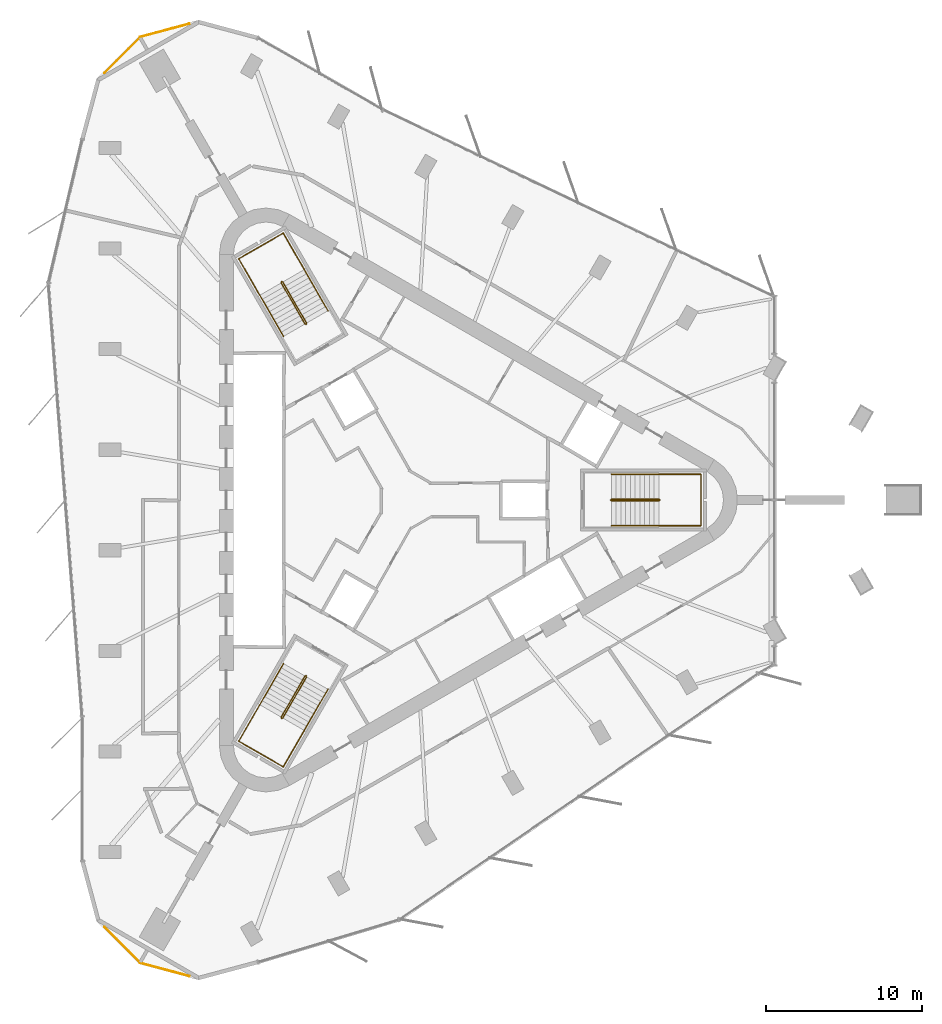
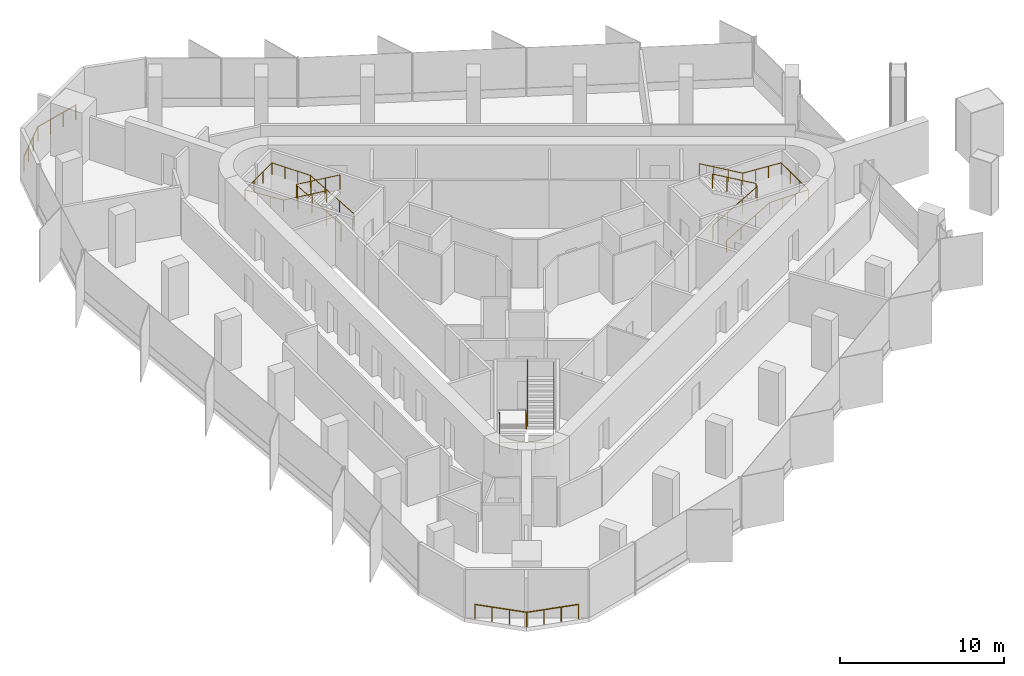
# One storey, part 12 of 12: 8 railings.
"""IFC4 building model written with IfcOpenShell, lengths in metres."""

from ifc_helpers import new_model, si_unit, direction, frame, origin, origin_2d, place, context, subcontext, project, spatial, circle, extrude, material, type_object, element, save


model = new_model("IFC4")

# Units and contexts
model_context = context("Model", 3, precision=1e-05, world=origin(), true_north=direction((0.0, 1.0)))
body_context = subcontext(model_context, "Body", "Model", "MODEL_VIEW")
ifc_project = project(units=[si_unit("LENGTHUNIT", "METRE"), si_unit("AREAUNIT", "SQUARE_METRE"), si_unit("VOLUMEUNIT", "CUBIC_METRE"), si_unit("PLANEANGLEUNIT", "RADIAN"), si_unit("MASSUNIT", "GRAM", prefix="KILO")], contexts=[model_context])

# Site, building, storey
site_placement = place(None, origin())
site = spatial("IfcSite", under=ifc_project, at=site_placement, CompositionType="ELEMENT")
building_placement = place(site_placement, origin())
building = spatial("IfcBuilding", under=site, at=building_placement, Name="Tanit Gate Tower", CompositionType="ELEMENT")
storey_placement = place(building_placement, frame((0.0, 0.0, 368.89990234375)))
storey = spatial("IfcBuildingStorey", under=building, at=storey_placement, Name="L84", CompositionType="ELEMENT", Elevation=368.89990234375)

# Railings
ifc_material_1 = material(Name="Stainless steel", Category="steel")
railing_type_1 = type_object("IfcRailingType", Name="Guard 1100 stainless steel balustrade", PredefinedType="GUARDRAIL", material=ifc_material_1)
railing_1_placement = place(storey_placement, frame((-14.027587890625, -30.60205078125, 0.0)))
element("IfcRailing", 1, at=railing_1_placement, inside=storey, type_object=railing_type_1, Name="Corner ledge guard L84 1", PredefinedType="GUARDRAIL", context=body_context, shape_type="SweptSolid", body=[
    extrude(circle(Radius=0.02392578125, at=origin_2d()), frame((0.0, 0.0, 1.076171875), z_axis=(-0.965931358652, 0.258798397161, 0.0), x_axis=(-0.258798397161, -0.965931358652, 0.0)), (0.0, 0.0, 1.0), 3.263916015625),
    extrude(circle(Radius=0.02392578125, at=origin_2d()), frame((-3.15283203125, 0.8447265625, 1.076171875), z_axis=(-0.707069380992, 0.707144179403, 0.0), x_axis=(-0.707144179403, -0.707069380992, 0.0)), (0.0, 0.0, 1.0), 3.263916015625),
    extrude(circle(Radius=0.02099609375, at=origin_2d()), origin(), (0.0, 0.0, 1.0), 1.052001953125),
    extrude(circle(Radius=0.02099609375, at=origin_2d()), frame((-1.051025390625, 0.281494140625, 0.0)), (0.0, 0.0, 1.0), 1.052001953125),
    extrude(circle(Radius=0.02099609375, at=origin_2d()), frame((-2.101806640625, 0.563232421875, 0.0)), (0.0, 0.0, 1.0), 1.052001953125),
    extrude(circle(Radius=0.02099609375, at=origin_2d()), frame((-3.15283203125, 0.8447265625, 0.0)), (0.0, 0.0, 1.0), 1.052001953125),
    extrude(circle(Radius=0.02099609375, at=origin_2d()), frame((-3.922119140625, 1.614013671875, 0.0)), (0.0, 0.0, 1.0), 1.052001953125),
    extrude(circle(Radius=0.02099609375, at=origin_2d()), frame((-4.69140625, 2.383544921875, 0.0)), (0.0, 0.0, 1.0), 1.052001953125),
    extrude(circle(Radius=0.02099609375, at=origin_2d()), frame((-5.460693359375, 3.15283203125, 0.0)), (0.0, 0.0, 1.0), 1.052001953125),
])
railing_2_placement = place(storey_placement, frame((-19.48828125, 27.44921875, 0.0)))
element("IfcRailing", 2, at=railing_2_placement, inside=storey, type_object=railing_type_1, Name="Corner ledge guard L84 2", PredefinedType="GUARDRAIL", context=body_context, shape_type="SweptSolid", body=[
    extrude(circle(Radius=0.02392578125, at=origin_2d()), frame((0.0, 0.0, 1.076171875), z_axis=(0.707069380992, 0.707144179403, 0.0), x_axis=(-0.707144179403, 0.707069380992, 0.0)), (0.0, 0.0, 1.0), 3.263916015625),
    extrude(circle(Radius=0.02392578125, at=origin_2d()), frame((2.307861328125, 2.30810546875, 1.076171875), z_axis=(0.965931358652, 0.258798397161, 0.0), x_axis=(-0.258798397161, 0.965931358652, 0.0)), (0.0, 0.0, 1.0), 3.263916015625),
    extrude(circle(Radius=0.02099609375, at=origin_2d()), origin(), (0.0, 0.0, 1.0), 1.052001953125),
    extrude(circle(Radius=0.02099609375, at=origin_2d()), frame((0.769287109375, 0.769287109375, 0.0)), (0.0, 0.0, 1.0), 1.052001953125),
    extrude(circle(Radius=0.02099609375, at=origin_2d()), frame((1.53857421875, 1.538818359375, 0.0)), (0.0, 0.0, 1.0), 1.052001953125),
    extrude(circle(Radius=0.02099609375, at=origin_2d()), frame((2.307861328125, 2.30810546875, 0.0)), (0.0, 0.0, 1.0), 1.052001953125),
    extrude(circle(Radius=0.02099609375, at=origin_2d()), frame((3.35888671875, 2.589599609375, 0.0)), (0.0, 0.0, 1.0), 1.052001953125),
    extrude(circle(Radius=0.02099609375, at=origin_2d()), frame((4.40966796875, 2.871337890625, 0.0)), (0.0, 0.0, 1.0), 1.052001953125),
    extrude(circle(Radius=0.02099609375, at=origin_2d()), frame((5.460693359375, 3.15283203125, 0.0)), (0.0, 0.0, 1.0), 1.052001953125),
])
ifc_material_2 = material(Name="Stainless steel balustrade", Category="steel")
railing_type_2 = type_object("IfcRailingType", Name="INT-STAIR-GUARD", PredefinedType="GUARDRAIL", material=ifc_material_2)
railing_3_placement = place(storey_placement, frame((13.044921875, 0.0048828125, 0.0)))
element("IfcRailing", 3, at=railing_3_placement, inside=storey, type_object=railing_type_2, Name="L84 S1 stair guard 1", PredefinedType="GUARDRAIL", context=body_context, shape_type="SweptSolid", body=[
    extrude(circle(Radius=0.02392578125, at=origin_2d()), frame((0.0, 0.0, 1.076171875), z_axis=(0.0, -1.0, 0.0), x_axis=(1.0, 0.0, 0.0)), (0.0, 0.0, 1.0), 0.009765625),
    extrude(circle(Radius=0.02392578125, at=origin_2d()), frame((0.0, -0.009765625, 1.076171875), z_axis=(0.261922500866, -0.261922500866, 0.928866625022), x_axis=(0.707106781187, 0.707106781187, 0.0)), (0.0, 0.0, 1.0), 0.191162109375),
    extrude(circle(Radius=0.02392578125, at=origin_2d()), frame((0.050048828125, -0.059814453125, 1.25341796875), z_axis=(0.864648382064, 0.0, 0.502377522779), x_axis=(0.0, 1.0, 0.0)), (0.0, 0.0, 1.0), 3.528564453125),
    extrude(circle(Radius=0.02392578125, at=origin_2d()), frame((3.10107421875, -0.059814453125, 3.0263671875), z_axis=(0.707106781187, 0.707106781187, 0.0), x_axis=(-0.707106781187, 0.707106781187, 0.0)), (0.0, 0.0, 1.0), 0.07080078125),
    extrude(circle(Radius=0.02392578125, at=origin_2d()), frame((3.151123046875, -0.009765625, 3.0263671875), z_axis=(0.0, 1.0, 0.0), x_axis=(-1.0, 0.0, 0.0)), (0.0, 0.0, 1.0), 0.009765625),
    extrude(circle(Radius=0.02392578125, at=origin_2d()), frame((3.151123046875, 0.0, 3.0263671875), z_axis=(-0.262233686654, 0.262233686654, 0.928691007369), x_axis=(-0.707106781187, -0.707106781187, 0.0)), (0.0, 0.0, 1.0), 0.19091796875),
    extrude(circle(Radius=0.02392578125, at=origin_2d()), frame((3.10107421875, 0.050048828125, 3.20361328125), z_axis=(-0.864648382064, 0.0, 0.502377522779), x_axis=(0.0, -1.0, 0.0)), (0.0, 0.0, 1.0), 3.528564453125),
    extrude(circle(Radius=0.02099609375, at=origin_2d()), origin(), (0.0, 0.0, 1.0), 1.052001953125),
    extrude(circle(Radius=0.02099609375, at=origin_2d()), frame((0.0, -0.009765625, 0.0)), (0.0, 0.0, 1.0), 1.052001953125),
    extrude(circle(Radius=0.02099609375, at=origin_2d()), frame((0.050048828125, -0.059814453125, 0.177490234375)), (0.0, 0.0, 1.0), 1.052001953125),
    extrude(circle(Radius=0.02099609375, at=origin_2d()), frame((1.067138671875, -0.059814453125, 0.768310546875)), (0.0, 0.0, 1.0), 1.052001953125),
    extrude(circle(Radius=0.02099609375, at=origin_2d()), frame((2.083984375, -0.059814453125, 1.359375)), (0.0, 0.0, 1.0), 1.052001953125),
    extrude(circle(Radius=0.02099609375, at=origin_2d()), frame((3.10107421875, -0.059814453125, 1.9501953125)), (0.0, 0.0, 1.0), 1.052001953125),
    extrude(circle(Radius=0.02099609375, at=origin_2d()), frame((3.151123046875, -0.009765625, 1.9501953125)), (0.0, 0.0, 1.0), 1.052001953125),
    extrude(circle(Radius=0.02099609375, at=origin_2d()), frame((3.151123046875, 0.0, 1.9501953125)), (0.0, 0.0, 1.0), 1.052001953125),
    extrude(circle(Radius=0.02099609375, at=origin_2d()), frame((3.10107421875, 0.050048828125, 2.12744140625)), (0.0, 0.0, 1.0), 1.052001953125),
    extrude(circle(Radius=0.02099609375, at=origin_2d()), frame((2.083984375, 0.050048828125, 2.71826171875)), (0.0, 0.0, 1.0), 1.052001953125),
    extrude(circle(Radius=0.02099609375, at=origin_2d()), frame((1.067138671875, 0.050048828125, 3.309326171875)), (0.0, 0.0, 1.0), 1.052001953125),
    extrude(circle(Radius=0.02099609375, at=origin_2d()), frame((0.050048828125, 0.050048828125, 3.900146484375)), (0.0, 0.0, 1.0), 1.052001953125),
])
railing_4_placement = place(storey_placement, frame((-6.527099609375, 11.29345703125, 0.0)))
element("IfcRailing", 4, at=railing_4_placement, inside=storey, type_object=railing_type_2, Name="L84 S2 stair guard 1", PredefinedType="GUARDRAIL", context=body_context, shape_type="SweptSolid", body=[
    extrude(circle(Radius=0.02392578125, at=origin_2d()), frame((0.0, 0.0, 1.076171875), z_axis=(0.868243142124, 0.496138938357, 0.0), x_axis=(-0.496138938357, 0.868243142124, 0.0)), (0.0, 0.0, 1.0), 0.01171875),
    extrude(circle(Radius=0.02392578125, at=origin_2d()), frame((0.01025390625, 0.005859375, 1.076171875), z_axis=(0.095827260621, 0.357755106318, 0.928885579619), x_axis=(-0.965948051503, 0.258736085224, 0.0)), (0.0, 0.0, 1.0), 0.191162109375),
    extrude(circle(Radius=0.02392578125, at=origin_2d()), frame((0.028564453125, 0.07421875, 1.25341796875), z_axis=(-0.4322777601, 0.748681545756, 0.50260509465), x_axis=(-0.866012246495, -0.500022788402, 0.0)), (0.0, 0.0, 1.0), 3.527099609375),
    extrude(circle(Radius=0.02392578125, at=origin_2d()), frame((-1.49609375, 2.71484375, 3.0263671875), z_axis=(-0.965715946433, 0.259601060869, 0.0), x_axis=(-0.259601060869, -0.965715946433, 0.0)), (0.0, 0.0, 1.0), 0.070556640625),
    extrude(circle(Radius=0.02392578125, at=origin_2d()), frame((-1.564208984375, 2.733154296875, 3.0263671875), z_axis=(-0.873197702015, -0.487366159264, 0.0), x_axis=(0.487366159264, -0.873197702015, 0.0)), (0.0, 0.0, 1.0), 0.011962890625),
    extrude(circle(Radius=0.02392578125, at=origin_2d()), frame((-1.57470703125, 2.727294921875, 3.0263671875), z_axis=(-0.095941116058, -0.358180166617, 0.928710003441), x_axis=(0.965948051503, -0.258736085224, 0.0)), (0.0, 0.0, 1.0), 0.19091796875),
    extrude(circle(Radius=0.02392578125, at=origin_2d()), frame((-1.593017578125, 2.658935546875, 3.20361328125), z_axis=(0.4322777601, -0.748681545756, 0.50260509465), x_axis=(0.866012246495, 0.500022788402, 0.0)), (0.0, 0.0, 1.0), 3.527099609375),
    extrude(circle(Radius=0.02099609375, at=origin_2d()), origin(), (0.0, 0.0, 1.0), 1.052001953125),
    extrude(circle(Radius=0.02099609375, at=origin_2d()), frame((0.01025390625, 0.005859375, 0.0)), (0.0, 0.0, 1.0), 1.052001953125),
    extrude(circle(Radius=0.02099609375, at=origin_2d()), frame((0.028564453125, 0.07421875, 0.177490234375)), (0.0, 0.0, 1.0), 1.052001953125),
    extrude(circle(Radius=0.02099609375, at=origin_2d()), frame((-0.479736328125, 0.954345703125, 0.768310546875)), (0.0, 0.0, 1.0), 1.052001953125),
    extrude(circle(Radius=0.02099609375, at=origin_2d()), frame((-0.98779296875, 1.834716796875, 1.359375)), (0.0, 0.0, 1.0), 1.052001953125),
    extrude(circle(Radius=0.02099609375, at=origin_2d()), frame((-1.49609375, 2.71484375, 1.9501953125)), (0.0, 0.0, 1.0), 1.052001953125),
    extrude(circle(Radius=0.02099609375, at=origin_2d()), frame((-1.564208984375, 2.733154296875, 1.9501953125)), (0.0, 0.0, 1.0), 1.052001953125),
    extrude(circle(Radius=0.02099609375, at=origin_2d()), frame((-1.57470703125, 2.727294921875, 1.9501953125)), (0.0, 0.0, 1.0), 1.052001953125),
    extrude(circle(Radius=0.02099609375, at=origin_2d()), frame((-1.593017578125, 2.658935546875, 2.12744140625)), (0.0, 0.0, 1.0), 1.052001953125),
    extrude(circle(Radius=0.02099609375, at=origin_2d()), frame((-1.084716796875, 1.77880859375, 2.71826171875)), (0.0, 0.0, 1.0), 1.052001953125),
    extrude(circle(Radius=0.02099609375, at=origin_2d()), frame((-0.57666015625, 0.8984375, 3.309326171875)), (0.0, 0.0, 1.0), 1.052001953125),
    extrude(circle(Radius=0.02099609375, at=origin_2d()), frame((-0.068359375, 0.018310546875, 3.900146484375)), (0.0, 0.0, 1.0), 1.052001953125),
])
railing_5_placement = place(storey_placement, frame((-6.51806640625, -11.2998046875, 0.0)))
element("IfcRailing", 5, at=railing_5_placement, inside=storey, type_object=railing_type_2, Name="L84 S3 stair guard 1", PredefinedType="GUARDRAIL", context=body_context, shape_type="SweptSolid", body=[
    extrude(circle(Radius=0.02392578125, at=origin_2d()), frame((0.0, 0.0, 1.076171875), z_axis=(-0.874157276122, 0.485642931179, 0.0), x_axis=(-0.485642931179, -0.874157276122, 0.0)), (0.0, 0.0, 1.0), 0.010009765625),
    extrude(circle(Radius=0.02392578125, at=origin_2d()), frame((-0.0087890625, 0.0048828125, 1.076171875), z_axis=(-0.357798625124, -0.094561065211, 0.928998573091), x_axis=(0.255512919477, -0.966805641264, 0.0)), (0.0, 0.0, 1.0), 0.191162109375),
    extrude(circle(Radius=0.02392578125, at=origin_2d()), frame((-0.0771484375, -0.01318359375, 1.25341796875), z_axis=(-0.432289778901, -0.748827189027, 0.502377734411), x_axis=(0.866048339477, -0.499960272111, 0.0)), (0.0, 0.0, 1.0), 3.528564453125),
    extrude(circle(Radius=0.02392578125, at=origin_2d()), frame((-1.6025390625, -2.655517578125, 3.0263671875), z_axis=(0.258736085224, -0.965948051503, 0.0), x_axis=(0.965948051503, 0.258736085224, 0.0)), (0.0, 0.0, 1.0), 0.07080078125),
    extrude(circle(Radius=0.02392578125, at=origin_2d()), frame((-1.584228515625, -2.723876953125, 3.0263671875), z_axis=(0.868243142124, -0.496138938357, 0.0), x_axis=(0.496138938357, 0.868243142124, 0.0)), (0.0, 0.0, 1.0), 0.009765625),
    extrude(circle(Radius=0.02392578125, at=origin_2d()), frame((-1.57568359375, -2.728759765625, 3.0263671875), z_axis=(0.358180166617, 0.095941116058, 0.928710003441), x_axis=(-0.258736085224, 0.965948051503, 0.0)), (0.0, 0.0, 1.0), 0.19091796875),
    extrude(circle(Radius=0.02392578125, at=origin_2d()), frame((-1.50732421875, -2.71044921875, 3.20361328125), z_axis=(0.432368434633, 0.748774395838, 0.502388734816), x_axis=(-0.865993683553, 0.500054937028, 0.0)), (0.0, 0.0, 1.0), 3.528564453125),
    extrude(circle(Radius=0.02099609375, at=origin_2d()), origin(), (0.0, 0.0, 1.0), 1.052001953125),
    extrude(circle(Radius=0.02099609375, at=origin_2d()), frame((-0.0087890625, 0.0048828125, 0.0)), (0.0, 0.0, 1.0), 1.052001953125),
    extrude(circle(Radius=0.02099609375, at=origin_2d()), frame((-0.0771484375, -0.01318359375, 0.177490234375)), (0.0, 0.0, 1.0), 1.052001953125),
    extrude(circle(Radius=0.02099609375, at=origin_2d()), frame((-0.585693359375, -0.89404296875, 0.768310546875)), (0.0, 0.0, 1.0), 1.052001953125),
    extrude(circle(Radius=0.02099609375, at=origin_2d()), frame((-1.093994140625, -1.774658203125, 1.359375)), (0.0, 0.0, 1.0), 1.052001953125),
    extrude(circle(Radius=0.02099609375, at=origin_2d()), frame((-1.6025390625, -2.655517578125, 1.9501953125)), (0.0, 0.0, 1.0), 1.052001953125),
    extrude(circle(Radius=0.02099609375, at=origin_2d()), frame((-1.584228515625, -2.723876953125, 1.9501953125)), (0.0, 0.0, 1.0), 1.052001953125),
    extrude(circle(Radius=0.02099609375, at=origin_2d()), frame((-1.57568359375, -2.728759765625, 1.9501953125)), (0.0, 0.0, 1.0), 1.052001953125),
    extrude(circle(Radius=0.02099609375, at=origin_2d()), frame((-1.50732421875, -2.71044921875, 2.12744140625)), (0.0, 0.0, 1.0), 1.052001953125),
    extrude(circle(Radius=0.02099609375, at=origin_2d()), frame((-0.998779296875, -1.829833984375, 2.71826171875)), (0.0, 0.0, 1.0), 1.052001953125),
    extrude(circle(Radius=0.02099609375, at=origin_2d()), frame((-0.490234375, -0.948974609375, 3.309326171875)), (0.0, 0.0, 1.0), 1.052001953125),
    extrude(circle(Radius=0.02099609375, at=origin_2d()), frame((0.018310546875, -0.068359375, 3.900146484375)), (0.0, 0.0, 1.0), 1.052001953125),
])
ifc_material_3 = material(Name="Stainless steel handrail", Category="steel")
railing_type_3 = type_object("IfcRailingType", Name="INT-STAIR-HANDRAIL", PredefinedType="HANDRAIL", material=ifc_material_3)
railing_6_placement = place(storey_placement, frame((13.094970703125, -1.64990234375, 0.177490234375)))
element("IfcRailing", 6, at=railing_6_placement, inside=storey, type_object=railing_type_3, Name="L84 S1 stair handrail 1", PredefinedType="HANDRAIL", context=body_context, shape_type="SweptSolid", body=[
    extrude(circle(Radius=0.02392578125, at=origin_2d()), frame((0.0, 0.0, 0.8759765625), z_axis=(0.864648382064, 0.0, 0.502377522779), x_axis=(0.0, 1.0, 0.0)), (0.0, 0.0, 1.0), 3.528564453125),
    extrude(circle(Radius=0.02392578125, at=origin_2d()), frame((3.051025390625, 0.0, 2.6484375), z_axis=(1.0, 0.0, 0.0), x_axis=(0.0, 1.0, 0.0)), (0.0, 0.0, 1.0), 2.7041015625),
    extrude(circle(Radius=0.02392578125, at=origin_2d()), frame((5.755126953125, 0.0, 2.6484375), z_axis=(0.0, 1.0, 0.0), x_axis=(-1.0, 0.0, 0.0)), (0.0, 0.0, 1.0), 3.2998046875),
    extrude(circle(Radius=0.02392578125, at=origin_2d()), frame((5.755126953125, 3.2998046875, 2.6484375), z_axis=(-0.997858684482, 0.0, 0.065406771843), x_axis=(0.0, -1.0, 0.0)), (0.0, 0.0, 1.0), 2.7099609375),
    extrude(circle(Radius=0.02392578125, at=origin_2d()), frame((3.051025390625, 3.2998046875, 2.82568359375), z_axis=(-0.864648382064, 0.0, 0.502377522779), x_axis=(0.0, -1.0, 0.0)), (0.0, 0.0, 1.0), 3.528564453125),
    extrude(circle(Radius=0.02099609375, at=origin_2d()), origin(), (0.0, 0.0, 1.0), 0.851806640625),
    extrude(circle(Radius=0.02099609375, at=origin_2d()), frame((1.01708984375, 0.0, 0.5908203125)), (0.0, 0.0, 1.0), 0.851806640625),
    extrude(circle(Radius=0.02099609375, at=origin_2d()), frame((2.033935546875, 0.0, 1.181884765625)), (0.0, 0.0, 1.0), 0.851806640625),
    extrude(circle(Radius=0.02099609375, at=origin_2d()), frame((3.051025390625, 0.0, 1.772705078125)), (0.0, 0.0, 1.0), 0.851806640625),
    extrude(circle(Radius=0.02099609375, at=origin_2d()), frame((3.952392578125, 0.0, 1.772705078125)), (0.0, 0.0, 1.0), 0.851806640625),
    extrude(circle(Radius=0.02099609375, at=origin_2d()), frame((4.853759765625, 0.0, 1.772705078125)), (0.0, 0.0, 1.0), 0.851806640625),
    extrude(circle(Radius=0.02099609375, at=origin_2d()), frame((5.755126953125, 0.0, 1.772705078125)), (0.0, 0.0, 1.0), 0.851806640625),
    extrude(circle(Radius=0.02099609375, at=origin_2d()), frame((5.755126953125, 1.099853515625, 1.772705078125)), (0.0, 0.0, 1.0), 0.851806640625),
    extrude(circle(Radius=0.02099609375, at=origin_2d()), frame((5.755126953125, 2.199951171875, 1.772705078125)), (0.0, 0.0, 1.0), 0.851806640625),
    extrude(circle(Radius=0.02099609375, at=origin_2d()), frame((5.755126953125, 3.2998046875, 1.772705078125)), (0.0, 0.0, 1.0), 0.851806640625),
    extrude(circle(Radius=0.02099609375, at=origin_2d()), frame((4.853759765625, 3.2998046875, 1.831787109375)), (0.0, 0.0, 1.0), 0.851806640625),
    extrude(circle(Radius=0.02099609375, at=origin_2d()), frame((3.952392578125, 3.2998046875, 1.890869140625)), (0.0, 0.0, 1.0), 0.851806640625),
    extrude(circle(Radius=0.02099609375, at=origin_2d()), frame((3.051025390625, 3.2998046875, 1.949951171875)), (0.0, 0.0, 1.0), 0.851806640625),
    extrude(circle(Radius=0.02099609375, at=origin_2d()), frame((2.033935546875, 3.2998046875, 2.540771484375)), (0.0, 0.0, 1.0), 0.851806640625),
    extrude(circle(Radius=0.02099609375, at=origin_2d()), frame((1.01708984375, 3.2998046875, 3.1318359375)), (0.0, 0.0, 1.0), 0.851806640625),
    extrude(circle(Radius=0.02099609375, at=origin_2d()), frame((0.0, 3.2998046875, 3.72265625)), (0.0, 0.0, 1.0), 0.851806640625),
])
railing_7_placement = place(storey_placement, frame((-5.1181640625, 12.164794921875, 0.177490234375)))
element("IfcRailing", 7, at=railing_7_placement, inside=storey, type_object=railing_type_3, Name="L84 S2 stair handrail 1", PredefinedType="HANDRAIL", context=body_context, shape_type="SweptSolid", body=[
    extrude(circle(Radius=0.02392578125, at=origin_2d()), frame((0.0, 0.0, 0.8759765625), z_axis=(-0.432221472453, 0.748703947157, 0.502620133164), x_axis=(-0.866046917185, -0.499962735845, 0.0)), (0.0, 0.0, 1.0), 3.52685546875),
    extrude(circle(Radius=0.02392578125, at=origin_2d()), frame((-1.5244140625, 2.640625, 2.6484375), z_axis=(-0.500019123664, 0.86601436245, 0.0), x_axis=(-0.86601436245, -0.500019123664, 0.0)), (0.0, 0.0, 1.0), 2.70703125),
    extrude(circle(Radius=0.02392578125, at=origin_2d()), frame((-2.8779296875, 4.98486328125, 2.6484375), z_axis=(-0.866008176907, -0.50002983664, 0.0), x_axis=(0.50002983664, -0.866008176907, 0.0)), (0.0, 0.0, 1.0), 3.300048828125),
    extrude(circle(Radius=0.02392578125, at=origin_2d()), frame((-5.73583984375, 3.334716796875, 2.6484375), z_axis=(0.498989459885, -0.864141018102, 0.065343857842), x_axis=(0.865991810323, 0.500058181068, 0.0)), (0.0, 0.0, 1.0), 2.71240234375),
    extrude(circle(Radius=0.02392578125, at=origin_2d()), frame((-4.38232421875, 0.99072265625, 2.82568359375), z_axis=(0.432255358616, -0.748711963836, 0.502579048665), x_axis=(0.866032263162, 0.499988119021, 0.0)), (0.0, 0.0, 1.0), 3.527099609375),
    extrude(circle(Radius=0.02099609375, at=origin_2d()), origin(), (0.0, 0.0, 1.0), 0.851806640625),
    extrude(circle(Radius=0.02099609375, at=origin_2d()), frame((-0.508056640625, 0.880126953125, 0.5908203125)), (0.0, 0.0, 1.0), 0.851806640625),
    extrude(circle(Radius=0.02099609375, at=origin_2d()), frame((-1.016357421875, 1.760498046875, 1.181884765625)), (0.0, 0.0, 1.0), 0.851806640625),
    extrude(circle(Radius=0.02099609375, at=origin_2d()), frame((-1.5244140625, 2.640625, 1.772705078125)), (0.0, 0.0, 1.0), 0.851806640625),
    extrude(circle(Radius=0.02099609375, at=origin_2d()), frame((-1.9755859375, 3.422119140625, 1.772705078125)), (0.0, 0.0, 1.0), 0.851806640625),
    extrude(circle(Radius=0.02099609375, at=origin_2d()), frame((-2.4267578125, 4.203369140625, 1.772705078125)), (0.0, 0.0, 1.0), 0.851806640625),
    extrude(circle(Radius=0.02099609375, at=origin_2d()), frame((-2.8779296875, 4.98486328125, 1.772705078125)), (0.0, 0.0, 1.0), 0.851806640625),
    extrude(circle(Radius=0.02099609375, at=origin_2d()), frame((-3.83056640625, 4.434814453125, 1.772705078125)), (0.0, 0.0, 1.0), 0.851806640625),
    extrude(circle(Radius=0.02099609375, at=origin_2d()), frame((-4.783203125, 3.884765625, 1.772705078125)), (0.0, 0.0, 1.0), 0.851806640625),
    extrude(circle(Radius=0.02099609375, at=origin_2d()), frame((-5.73583984375, 3.334716796875, 1.772705078125)), (0.0, 0.0, 1.0), 0.851806640625),
    extrude(circle(Radius=0.02099609375, at=origin_2d()), frame((-5.28466796875, 2.553466796875, 1.831787109375)), (0.0, 0.0, 1.0), 0.851806640625),
    extrude(circle(Radius=0.02099609375, at=origin_2d()), frame((-4.83349609375, 1.77197265625, 1.890869140625)), (0.0, 0.0, 1.0), 0.851806640625),
    extrude(circle(Radius=0.02099609375, at=origin_2d()), frame((-4.38232421875, 0.99072265625, 1.949951171875)), (0.0, 0.0, 1.0), 0.851806640625),
    extrude(circle(Radius=0.02099609375, at=origin_2d()), frame((-3.8740234375, 0.1103515625, 2.540771484375)), (0.0, 0.0, 1.0), 0.851806640625),
    extrude(circle(Radius=0.02099609375, at=origin_2d()), frame((-3.365966796875, -0.769775390625, 3.1318359375)), (0.0, 0.0, 1.0), 0.851806640625),
    extrude(circle(Radius=0.02099609375, at=origin_2d()), frame((-2.857666015625, -1.650146484375, 3.72265625)), (0.0, 0.0, 1.0), 0.851806640625),
])
railing_8_placement = place(storey_placement, frame((-7.9765625, -10.515625, 0.177490234375)))
element("IfcRailing", 8, at=railing_8_placement, inside=storey, type_object=railing_type_3, Name="L84 S3 stair handrail 1", PredefinedType="HANDRAIL", context=body_context, shape_type="SweptSolid", body=[
    extrude(circle(Radius=0.02392578125, at=origin_2d()), frame((0.0, 0.0, 0.8759765625), z_axis=(-0.432289778901, -0.748827189027, 0.502377734411), x_axis=(0.866048339477, -0.499960272111, 0.0)), (0.0, 0.0, 1.0), 3.528564453125),
    extrude(circle(Radius=0.02392578125, at=origin_2d()), frame((-1.525390625, -2.642333984375, 2.6484375), z_axis=(-0.50004290449, -0.866000631449, 0.0), x_axis=(0.866000631449, -0.50004290449, 0.0)), (0.0, 0.0, 1.0), 2.703857421875),
    extrude(circle(Radius=0.02392578125, at=origin_2d()), frame((-2.87744140625, -4.98388671875, 2.6484375), z_axis=(0.866008176907, -0.50002983664, 0.0), x_axis=(0.50002983664, 0.866008176907, 0.0)), (0.0, 0.0, 1.0), 3.300048828125),
    extrude(circle(Radius=0.02392578125, at=origin_2d()), frame((-0.01953125, -6.634033203125, 2.6484375), z_axis=(0.498933124603, 0.864168748861, 0.065407267689), x_axis=(-0.866023205937, 0.500003806764, 0.0)), (0.0, 0.0, 1.0), 2.7099609375),
    extrude(circle(Radius=0.02392578125, at=origin_2d()), frame((1.33251953125, -4.292236328125, 2.82568359375), z_axis=(0.432289778901, 0.748827189027, 0.502377734411), x_axis=(-0.866048339477, 0.499960272111, 0.0)), (0.0, 0.0, 1.0), 3.528564453125),
    extrude(circle(Radius=0.02099609375, at=origin_2d()), origin(), (0.0, 0.0, 1.0), 0.851806640625),
    extrude(circle(Radius=0.02099609375, at=origin_2d()), frame((-0.508544921875, -0.880859375, 0.5908203125)), (0.0, 0.0, 1.0), 0.851806640625),
    extrude(circle(Radius=0.02099609375, at=origin_2d()), frame((-1.016845703125, -1.761474609375, 1.181884765625)), (0.0, 0.0, 1.0), 0.851806640625),
    extrude(circle(Radius=0.02099609375, at=origin_2d()), frame((-1.525390625, -2.642333984375, 1.772705078125)), (0.0, 0.0, 1.0), 0.851806640625),
    extrude(circle(Radius=0.02099609375, at=origin_2d()), frame((-1.97607421875, -3.4228515625, 1.772705078125)), (0.0, 0.0, 1.0), 0.851806640625),
    extrude(circle(Radius=0.02099609375, at=origin_2d()), frame((-2.4267578125, -4.203369140625, 1.772705078125)), (0.0, 0.0, 1.0), 0.851806640625),
    extrude(circle(Radius=0.02099609375, at=origin_2d()), frame((-2.87744140625, -4.98388671875, 1.772705078125)), (0.0, 0.0, 1.0), 0.851806640625),
    extrude(circle(Radius=0.02099609375, at=origin_2d()), frame((-1.9248046875, -5.533935546875, 1.772705078125)), (0.0, 0.0, 1.0), 0.851806640625),
    extrude(circle(Radius=0.02099609375, at=origin_2d()), frame((-0.97216796875, -6.083984375, 1.772705078125)), (0.0, 0.0, 1.0), 0.851806640625),
    extrude(circle(Radius=0.02099609375, at=origin_2d()), frame((-0.01953125, -6.634033203125, 1.772705078125)), (0.0, 0.0, 1.0), 0.851806640625),
    extrude(circle(Radius=0.02099609375, at=origin_2d()), frame((0.43115234375, -5.853515625, 1.831787109375)), (0.0, 0.0, 1.0), 0.851806640625),
    extrude(circle(Radius=0.02099609375, at=origin_2d()), frame((0.8818359375, -5.07275390625, 1.890869140625)), (0.0, 0.0, 1.0), 0.851806640625),
    extrude(circle(Radius=0.02099609375, at=origin_2d()), frame((1.33251953125, -4.292236328125, 1.949951171875)), (0.0, 0.0, 1.0), 0.851806640625),
    extrude(circle(Radius=0.02099609375, at=origin_2d()), frame((1.841064453125, -3.411376953125, 2.540771484375)), (0.0, 0.0, 1.0), 0.851806640625),
    extrude(circle(Radius=0.02099609375, at=origin_2d()), frame((2.349365234375, -2.53076171875, 3.1318359375)), (0.0, 0.0, 1.0), 0.851806640625),
    extrude(circle(Radius=0.02099609375, at=origin_2d()), frame((2.85791015625, -1.64990234375, 3.72265625)), (0.0, 0.0, 1.0), 0.851806640625),
])

save(model, "model.ifc")
